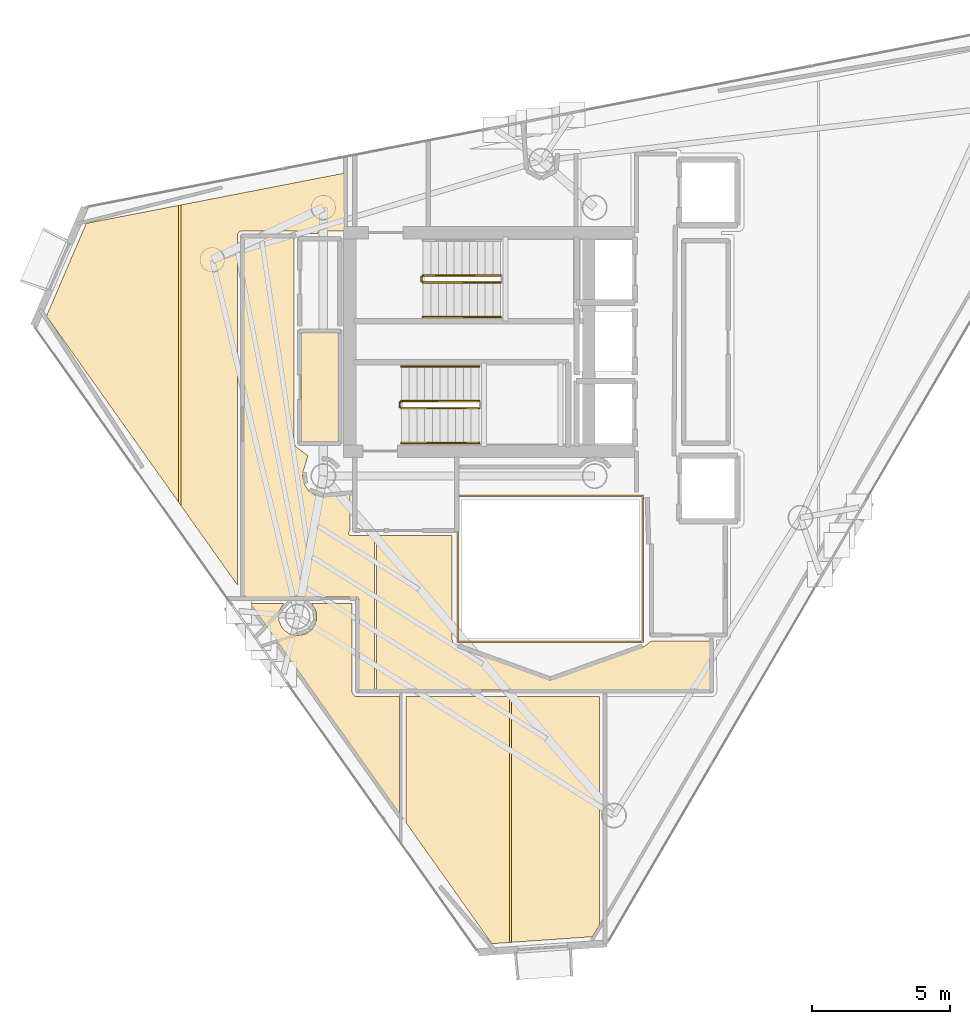
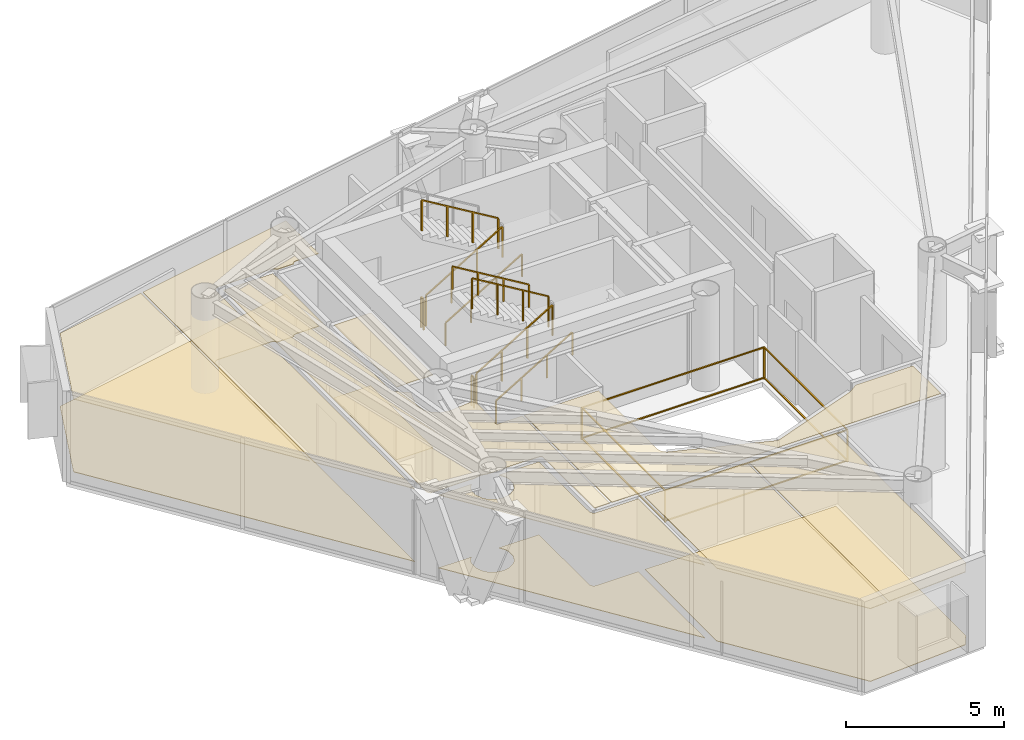
# One storey, part 20 of 22: 12 coverings, 10 railings.
"""IFC4 building model written with IfcOpenShell, lengths in metres."""

from ifc_helpers import new_model, si_unit, direction, frame, origin, origin_2d, place, context, subcontext, project, spatial, polyline, rectangle, outline, extrude, material, layer, layer_set, type_object, element, save


model = new_model("IFC4")

# Units and contexts
model_context = context("Model", 3, precision=1e-05, world=origin(), true_north=direction((0.0, 1.0)))
body_context = subcontext(model_context, "Body", "Model", "MODEL_VIEW")
ifc_project = project(units=[si_unit("LENGTHUNIT", "METRE"), si_unit("AREAUNIT", "SQUARE_METRE"), si_unit("VOLUMEUNIT", "CUBIC_METRE"), si_unit("PLANEANGLEUNIT", "RADIAN"), si_unit("MASSUNIT", "GRAM", prefix="KILO")], contexts=[model_context])

# Site, building, storey
site_placement = place(None, origin())
site = spatial("IfcSite", under=ifc_project, at=site_placement, CompositionType="ELEMENT")
building_placement = place(site_placement, origin())
building = spatial("IfcBuilding", under=site, at=building_placement, Name="Qianvela Tower", CompositionType="ELEMENT")
storey_placement = place(building_placement, frame((0.0, 0.0, 299.10009765625)))
storey = spatial("IfcBuildingStorey", under=building, at=storey_placement, Name="L77", CompositionType="ELEMENT", Elevation=299.10009765625)

# Coverings
ifc_material_1 = material(Name="Perforated Mineral Acoustic Ceiling Tile")
ifc_layer_1 = layer(ifc_material_1, 0.02490234375)
ifc_layer_set_1 = layer_set([ifc_layer_1], Name="Perforated Mineral Acoustic Ceiling Tile")
covering_type_1 = type_object("IfcCoveringType", Name="COV-CEIL-ACOUSTIC-25", PredefinedType="CEILING", material=ifc_layer_set_1)
covering_1_placement = place(storey_placement, frame((0.0, 0.0, 2.81494140625)))
element("IfcCovering", 1, at=covering_1_placement, inside=storey, type_object=covering_type_1, Name="L77 Acoustic Ceiling L77 Core Tea Pantry West", PredefinedType="CEILING", context=body_context, shape_type="SweptSolid", body=[
    extrude(outline(polyline([(27.800048828125, 25.080078125), (27.800048828125, 29.0400390625), (29.139892578125, 29.0400390625), (29.139892578125, 25.080078125), (27.800048828125, 25.080078125)])), origin(), (0.0, 0.0, 1.0), 0.02490234375),
])
covering_2_placement = place(storey_placement, frame((0.0, 0.0, 2.81494140625)))
element("IfcCovering", 2, at=covering_2_placement, inside=storey, type_object=covering_type_1, Name="L77 Acoustic Ceiling Bay 1 L77 Floor Corridor", PredefinedType="CEILING", context=body_context, shape_type="SweptSolid", body=[
    extrude(outline(polyline([(27.5400390625, 32.469970703125), (27.5400390625, 25.04638671875), (27.540283203125, 25.038818359375), (27.54150390625, 25.03125), (27.543212890625, 25.023681640625), (27.545654296875, 25.0166015625), (27.548828125, 25.009765625), (27.552734375, 25.003173828125), (27.61328125, 24.90869140625), (27.61767578125, 24.90283203125), (27.622314453125, 24.8974609375), (27.62744140625, 24.892333984375), (27.633056640625, 24.8876953125), (28.042236328125, 24.584228515625), (27.8662109375, 24.00390625), (27.864501953125, 23.996337890625), (27.86328125, 23.988525390625), (27.850341796875, 23.85791015625), (27.85009765625, 23.85009765625), (27.850341796875, 23.84228515625), (27.8515625, 23.83447265625), (27.902587890625, 23.577880859375), (27.904296875, 23.5703125), (27.906982421875, 23.56298828125), (27.910400390625, 23.555908203125), (27.91455078125, 23.54931640625), (28.059814453125, 23.331787109375), (28.064453125, 23.325439453125), (28.069580078125, 23.319580078125), (28.075439453125, 23.314453125), (28.081787109375, 23.309814453125), (28.29931640625, 23.16455078125), (28.305908203125, 23.160400390625), (28.31298828125, 23.156982421875), (28.3203125, 23.154296875), (28.327880859375, 23.152587890625), (28.58447265625, 23.1015625), (28.59228515625, 23.100341796875), (28.60009765625, 23.10009765625), (28.60791015625, 23.100341796875), (29.55810546875, 23.194091796875), (29.55810546875, 21.877685546875), (29.52001953125, 21.82958984375), (29.515380859375, 21.822998046875), (29.51171875, 21.81640625), (29.508544921875, 21.809326171875), (29.506103515625, 21.802001953125), (29.504150390625, 21.794189453125), (29.503173828125, 21.78662109375), (29.5029296875, 21.77880859375), (29.50341796875, 21.77099609375), (29.504638671875, 21.763427734375), (29.506591796875, 21.755859375), (29.50927734375, 21.74853515625), (29.5126953125, 21.74169921875), (29.516845703125, 21.735107421875), (29.521484375, 21.728759765625), (29.52685546875, 21.722900390625), (29.53271484375, 21.7177734375), (29.538818359375, 21.713134765625), (29.54541015625, 21.709228515625), (29.552490234375, 21.7060546875), (29.559814453125, 21.703369140625), (29.5673828125, 21.701416015625), (29.5751953125, 21.700439453125), (29.5830078125, 21.699951171875), (30.443359375, 21.699951171875), (30.443359375, 16.1298828125), (29.8798828125, 16.1298828125), (29.8798828125, 19.39990234375), (29.879638671875, 19.40771484375), (29.87841796875, 19.41552734375), (29.876708984375, 19.423095703125), (29.873779296875, 19.4306640625), (29.87060546875, 19.437744140625), (29.866455078125, 19.4443359375), (29.86181640625, 19.45068359375), (29.856689453125, 19.45654296875), (29.850830078125, 19.4619140625), (29.844482421875, 19.466552734375), (29.837646484375, 19.470703125), (29.83056640625, 19.473876953125), (29.8232421875, 19.4765625), (29.815673828125, 19.478515625), (29.807861328125, 19.4794921875), (29.800048828125, 19.47998046875), (27.910888671875, 19.47998046875), (27.684814453125, 19.522705078125), (27.677490234375, 19.523681640625), (27.669921875, 19.52392578125), (27.66259765625, 19.523681640625), (27.6552734375, 19.522705078125), (27.42919921875, 19.47998046875), (25.80078125, 19.47998046875), (25.72998046875, 19.579833984375), (25.72998046875, 32.469970703125), (27.5400390625, 32.469970703125)])), origin(), (0.0, 0.0, 1.0), 0.02490234375),
])
covering_3_placement = place(storey_placement, frame((0.0, 0.0, 2.81494140625)))
element("IfcCovering", 3, at=covering_3_placement, inside=storey, type_object=covering_type_1, Name="L77 Acoustic Ceiling Bay 2 L77 Floor Corridor", PredefinedType="CEILING", context=body_context, shape_type="SweptSolid", body=[
    extrude(outline(polyline([(33.239990234375, 21.699951171875), (33.239990234375, 18.0), (33.240478515625, 17.990234375), (33.242431640625, 17.980712890625), (33.275390625, 17.8486328125), (33.277587890625, 17.841796875), (33.2802734375, 17.8349609375), (33.283447265625, 17.82861328125), (33.287353515625, 17.822509765625), (33.29150390625, 17.81689453125), (33.29638671875, 17.811279296875), (33.411376953125, 17.696533203125), (33.41796875, 17.690673828125), (33.42529296875, 17.685546875), (33.432861328125, 17.68115234375), (33.44091796875, 17.677734375), (36.77294921875, 16.482666015625), (36.780517578125, 16.48046875), (36.7880859375, 16.47900390625), (36.7958984375, 16.47802734375), (36.803955078125, 16.47802734375), (36.811767578125, 16.47900390625), (36.8193359375, 16.48046875), (36.826904296875, 16.482666015625), (40.134033203125, 17.666015625), (40.140869140625, 17.668701171875), (40.1474609375, 17.672119140625), (40.153564453125, 17.676025390625), (40.458740234375, 17.89306640625), (42.570068359375, 17.899658203125), (42.570068359375, 16.1298828125), (30.5234375, 16.1298828125), (30.5234375, 21.699951171875), (33.239990234375, 21.699951171875)])), origin(), (0.0, 0.0, 1.0), 0.02490234375),
])
covering_4_placement = place(storey_placement, frame((0.0, 0.0, 2.81494140625)))
element("IfcCovering", 4, at=covering_4_placement, inside=storey, type_object=covering_type_1, Name="L77 Acoustic Ceiling Tutorial Breakout Seminar L77-01", PredefinedType="CEILING", context=body_context, shape_type="SweptSolid", body=[
    extrude(outline(polyline([(27.16552734375, 19.239990234375), (27.039794921875, 19.052001953125), (27.035888671875, 19.045166015625), (27.032470703125, 19.0380859375), (27.02978515625, 19.03076171875), (26.9951171875, 18.916259765625), (26.993408203125, 18.90869140625), (26.9921875, 18.90087890625), (26.99169921875, 18.89306640625), (26.99169921875, 18.655029296875), (26.9921875, 18.647216796875), (26.993408203125, 18.639404296875), (26.9951171875, 18.6318359375), (26.997802734375, 18.62451171875), (27.0888671875, 18.404541015625), (27.09228515625, 18.3974609375), (27.09619140625, 18.390625), (27.10107421875, 18.384521484375), (27.1767578125, 18.2919921875), (27.18212890625, 18.2861328125), (27.18798828125, 18.28076171875), (27.194091796875, 18.276123046875), (27.39208984375, 18.143798828125), (27.39892578125, 18.139892578125), (27.406005859375, 18.136474609375), (27.413330078125, 18.1337890625), (27.4208984375, 18.132080078125), (27.654296875, 18.08544921875), (27.662109375, 18.08447265625), (27.669921875, 18.083984375), (27.677734375, 18.08447265625), (27.685546875, 18.08544921875), (27.9189453125, 18.132080078125), (27.9267578125, 18.1337890625), (27.93408203125, 18.136474609375), (27.941162109375, 18.139892578125), (27.947998046875, 18.143798828125), (28.145751953125, 18.276123046875), (28.152099609375, 18.28076171875), (28.157958984375, 18.2861328125), (28.1630859375, 18.2919921875), (28.239013671875, 18.384521484375), (28.24365234375, 18.390625), (28.247802734375, 18.3974609375), (28.251220703125, 18.404541015625), (28.34228515625, 18.62451171875), (28.3447265625, 18.6318359375), (28.3466796875, 18.639404296875), (28.347900390625, 18.647216796875), (28.348388671875, 18.655029296875), (28.348388671875, 18.89306640625), (28.347900390625, 18.90087890625), (28.3466796875, 18.90869140625), (28.3447265625, 18.916259765625), (28.31005859375, 19.03076171875), (28.3076171875, 19.0380859375), (28.30419921875, 19.045166015625), (28.300048828125, 19.052001953125), (28.17431640625, 19.239990234375), (29.639892578125, 19.239990234375), (29.639892578125, 16.050048828125), (29.640380859375, 16.042236328125), (29.6416015625, 16.034423828125), (29.643310546875, 16.02685546875), (29.64599609375, 16.019287109375), (29.6494140625, 16.01220703125), (29.653564453125, 16.005615234375), (29.702880859375, 15.931640625), (29.70751953125, 15.92529296875), (29.712890625, 15.91943359375), (29.718505859375, 15.914306640625), (29.724853515625, 15.90966796875), (29.731689453125, 15.905517578125), (29.73876953125, 15.902099609375), (29.74609375, 15.8994140625), (29.753662109375, 15.897705078125), (29.761474609375, 15.896484375), (29.769287109375, 15.89599609375), (31.3447265625, 15.89501953125), (31.3447265625, 11.66748046875), (25.97119140625, 19.239990234375), (27.16552734375, 19.239990234375)])), origin(), (0.0, 0.0, 1.0), 0.02490234375),
])
covering_5_placement = place(storey_placement, frame((0.0, 0.0, 2.81494140625)))
element("IfcCovering", 5, at=covering_5_placement, inside=storey, type_object=covering_type_1, Name="L77 Acoustic Ceiling Bay 1 Debate Lecture Classroom L77-03", PredefinedType="CEILING", context=body_context, shape_type="SweptSolid", body=[
    extrude(outline(polyline([(23.373046875, 33.62841796875), (23.373046875, 22.9013671875), (18.59765625, 29.630859375), (20.036865234375, 32.9794921875), (23.373046875, 33.62841796875)])), origin(), (0.0, 0.0, 1.0), 0.02490234375),
])
covering_6_placement = place(storey_placement, frame((0.0, 0.0, 2.81494140625)))
element("IfcCovering", 6, at=covering_6_placement, inside=storey, type_object=covering_type_1, Name="L77 Acoustic Ceiling Bay 2 Debate Lecture Classroom L77-03", PredefinedType="CEILING", context=body_context, shape_type="SweptSolid", body=[
    extrude(outline(polyline([(29.354736328125, 34.7919921875), (29.35791015625, 32.7099609375), (28.542236328125, 32.709716796875), (28.5361328125, 32.70947265625), (28.530029296875, 32.708740234375), (28.4677734375, 32.69921875), (28.460205078125, 32.697509765625), (28.452880859375, 32.6953125), (28.446044921875, 32.6923828125), (28.439208984375, 32.688720703125), (28.432861328125, 32.6845703125), (28.427001953125, 32.6796875), (28.42138671875, 32.674560546875), (28.41650390625, 32.668701171875), (28.412109375, 32.662353515625), (28.408447265625, 32.65576171875), (28.405517578125, 32.648681640625), (28.403076171875, 32.6416015625), (28.4013671875, 32.634033203125), (28.400390625, 32.62646484375), (28.39892578125, 32.609619140625), (27.7626953125, 32.607666015625), (27.759521484375, 32.6201171875), (27.757080078125, 32.62744140625), (27.754150390625, 32.634765625), (27.75048828125, 32.6416015625), (27.74609375, 32.648193359375), (27.7412109375, 32.654296875), (27.735595703125, 32.659912109375), (27.7294921875, 32.6650390625), (27.722900390625, 32.66943359375), (27.716064453125, 32.673095703125), (27.654296875, 32.702392578125), (27.647705078125, 32.705078125), (27.64111328125, 32.707275390625), (27.634033203125, 32.708740234375), (27.627197265625, 32.709716796875), (27.6201171875, 32.7099609375), (25.64990234375, 32.7099609375), (25.642578125, 32.709716796875), (25.635498046875, 32.708740234375), (25.62841796875, 32.70703125), (25.62158203125, 32.70458984375), (25.61474609375, 32.701904296875), (25.6083984375, 32.6982421875), (25.602294921875, 32.6943359375), (25.52587890625, 32.637451171875), (25.519287109375, 32.632080078125), (25.513671875, 32.626220703125), (25.50830078125, 32.619873046875), (25.50390625, 32.61279296875), (25.500244140625, 32.60546875), (25.497314453125, 32.59765625), (25.4951171875, 32.589599609375), (25.493896484375, 32.58154296875), (25.493408203125, 32.5732421875), (25.489990234375, 19.91796875), (23.453125, 22.78857421875), (23.453125, 33.64404296875), (29.354736328125, 34.7919921875)])), origin(), (0.0, 0.0, 1.0), 0.02490234375),
])
covering_7_placement = place(storey_placement, frame((0.0, 0.0, 2.81494140625)))
element("IfcCovering", 7, at=covering_7_placement, inside=storey, type_object=covering_type_1, Name="L77 Acoustic Ceiling Bay 1 Campus Wellness Pharmacy L77-04", PredefinedType="CEILING", context=body_context, shape_type="SweptSolid", body=[
    extrude(outline(polyline([(34.685791015625, 6.958984375), (31.588623046875, 11.32373046875), (31.588623046875, 15.894775390625), (35.32080078125, 15.892333984375), (35.32080078125, 7.003173828125), (34.685791015625, 6.958984375)])), origin(), (0.0, 0.0, 1.0), 0.02490234375),
])
covering_8_placement = place(storey_placement, frame((0.0, 0.0, 2.81494140625)))
element("IfcCovering", 8, at=covering_8_placement, inside=storey, type_object=covering_type_1, Name="L77 Acoustic Ceiling Bay 2 Campus Wellness Pharmacy L77-04", PredefinedType="CEILING", context=body_context, shape_type="SweptSolid", body=[
    extrude(outline(polyline([(38.322021484375, 7.211669921875), (35.400634765625, 7.0087890625), (35.400634765625, 15.89208984375), (38.577880859375, 15.89013671875), (38.577880859375, 7.64990234375), (38.322021484375, 7.211669921875)])), origin(), (0.0, 0.0, 1.0), 0.02490234375),
])
ifc_material_2 = material(Name="Engineered Acoustic Oak Timber Flooring", Category="wood")
ifc_layer_2 = layer(ifc_material_2, 0.02001953125)
ifc_layer_set_2 = layer_set([ifc_layer_2], Name="Engineered Acoustic Oak Timber Flooring")
covering_type_2 = type_object("IfcCoveringType", Name="COV-FLOOR-OAK-20", PredefinedType="FLOORING", material=ifc_layer_set_2)
covering_9_placement = place(storey_placement, origin())
element("IfcCovering", 9, at=covering_9_placement, inside=storey, type_object=covering_type_2, Name="L77 Finish Flooring L77 Core Tea Pantry West", PredefinedType="FLOORING", context=body_context, shape_type="SweptSolid", body=[
    extrude(outline(polyline([(27.800048828125, 25.080078125), (27.800048828125, 29.0400390625), (29.139892578125, 29.0400390625), (29.139892578125, 25.080078125), (27.800048828125, 25.080078125)])), origin(), (0.0, 0.0, 1.0), 0.02001953125),
])
covering_10_placement = place(storey_placement, origin())
element("IfcCovering", 10, at=covering_10_placement, inside=storey, type_object=covering_type_2, Name="L77 Finish Flooring Tutorial Breakout Seminar L77-01", PredefinedType="FLOORING", context=body_context, shape_type="SweptSolid", body=[
    extrude(outline(polyline([(27.16552734375, 19.239990234375), (27.039794921875, 19.052001953125), (27.035888671875, 19.045166015625), (27.032470703125, 19.0380859375), (27.02978515625, 19.03076171875), (26.9951171875, 18.916259765625), (26.993408203125, 18.90869140625), (26.9921875, 18.90087890625), (26.99169921875, 18.89306640625), (26.99169921875, 18.655029296875), (26.9921875, 18.647216796875), (26.993408203125, 18.639404296875), (26.9951171875, 18.6318359375), (26.997802734375, 18.62451171875), (27.0888671875, 18.404541015625), (27.09228515625, 18.3974609375), (27.09619140625, 18.390625), (27.10107421875, 18.384521484375), (27.1767578125, 18.2919921875), (27.18212890625, 18.2861328125), (27.18798828125, 18.28076171875), (27.194091796875, 18.276123046875), (27.39208984375, 18.143798828125), (27.39892578125, 18.139892578125), (27.406005859375, 18.136474609375), (27.413330078125, 18.1337890625), (27.4208984375, 18.132080078125), (27.654296875, 18.08544921875), (27.662109375, 18.08447265625), (27.669921875, 18.083984375), (27.677734375, 18.08447265625), (27.685546875, 18.08544921875), (27.9189453125, 18.132080078125), (27.9267578125, 18.1337890625), (27.93408203125, 18.136474609375), (27.941162109375, 18.139892578125), (27.947998046875, 18.143798828125), (28.145751953125, 18.276123046875), (28.152099609375, 18.28076171875), (28.157958984375, 18.2861328125), (28.1630859375, 18.2919921875), (28.239013671875, 18.384521484375), (28.24365234375, 18.390625), (28.247802734375, 18.3974609375), (28.251220703125, 18.404541015625), (28.34228515625, 18.62451171875), (28.3447265625, 18.6318359375), (28.3466796875, 18.639404296875), (28.347900390625, 18.647216796875), (28.348388671875, 18.655029296875), (28.348388671875, 18.89306640625), (28.347900390625, 18.90087890625), (28.3466796875, 18.90869140625), (28.3447265625, 18.916259765625), (28.31005859375, 19.03076171875), (28.3076171875, 19.0380859375), (28.30419921875, 19.045166015625), (28.300048828125, 19.052001953125), (28.17431640625, 19.239990234375), (29.639892578125, 19.239990234375), (29.639892578125, 16.050048828125), (29.640380859375, 16.042236328125), (29.6416015625, 16.034423828125), (29.643310546875, 16.02685546875), (29.64599609375, 16.019287109375), (29.6494140625, 16.01220703125), (29.653564453125, 16.005615234375), (29.702880859375, 15.931640625), (29.70751953125, 15.92529296875), (29.712890625, 15.91943359375), (29.718505859375, 15.914306640625), (29.724853515625, 15.90966796875), (29.731689453125, 15.905517578125), (29.73876953125, 15.902099609375), (29.74609375, 15.8994140625), (29.753662109375, 15.897705078125), (29.761474609375, 15.896484375), (29.769287109375, 15.89599609375), (31.3447265625, 15.89501953125), (31.3447265625, 11.66748046875), (25.97119140625, 19.239990234375), (27.16552734375, 19.239990234375)])), origin(), (0.0, 0.0, 1.0), 0.02001953125),
])
covering_11_placement = place(storey_placement, origin())
element("IfcCovering", 11, at=covering_11_placement, inside=storey, type_object=covering_type_2, Name="L77 Finish Flooring Debate Lecture Classroom L77-03", PredefinedType="FLOORING", context=body_context, shape_type="SweptSolid", body=[
    extrude(outline(polyline([(20.036865234375, 32.9794921875), (29.354736328125, 34.7919921875), (29.35791015625, 32.7099609375), (28.542236328125, 32.709716796875), (28.5361328125, 32.70947265625), (28.530029296875, 32.708740234375), (28.4677734375, 32.69921875), (28.460205078125, 32.697509765625), (28.452880859375, 32.6953125), (28.446044921875, 32.6923828125), (28.439208984375, 32.688720703125), (28.432861328125, 32.6845703125), (28.427001953125, 32.6796875), (28.42138671875, 32.674560546875), (28.41650390625, 32.668701171875), (28.412109375, 32.662353515625), (28.408447265625, 32.65576171875), (28.405517578125, 32.648681640625), (28.403076171875, 32.6416015625), (28.4013671875, 32.634033203125), (28.400390625, 32.62646484375), (28.39892578125, 32.609619140625), (27.7626953125, 32.607666015625), (27.759521484375, 32.6201171875), (27.757080078125, 32.62744140625), (27.754150390625, 32.634765625), (27.75048828125, 32.6416015625), (27.74609375, 32.648193359375), (27.7412109375, 32.654296875), (27.735595703125, 32.659912109375), (27.7294921875, 32.6650390625), (27.722900390625, 32.66943359375), (27.716064453125, 32.673095703125), (27.654296875, 32.702392578125), (27.647705078125, 32.705078125), (27.64111328125, 32.707275390625), (27.634033203125, 32.708740234375), (27.627197265625, 32.709716796875), (27.6201171875, 32.7099609375), (25.64990234375, 32.7099609375), (25.642578125, 32.709716796875), (25.635498046875, 32.708740234375), (25.62841796875, 32.70703125), (25.62158203125, 32.70458984375), (25.61474609375, 32.701904296875), (25.6083984375, 32.6982421875), (25.602294921875, 32.6943359375), (25.52587890625, 32.637451171875), (25.519287109375, 32.632080078125), (25.513671875, 32.626220703125), (25.50830078125, 32.619873046875), (25.50390625, 32.61279296875), (25.500244140625, 32.60546875), (25.497314453125, 32.59765625), (25.4951171875, 32.589599609375), (25.493896484375, 32.58154296875), (25.493408203125, 32.5732421875), (25.489990234375, 19.91796875), (18.59765625, 29.630859375), (20.036865234375, 32.9794921875)])), origin(), (0.0, 0.0, 1.0), 0.02001953125),
])
covering_12_placement = place(storey_placement, origin())
element("IfcCovering", 12, at=covering_12_placement, inside=storey, type_object=covering_type_2, Name="L77 Finish Flooring Campus Wellness Pharmacy L77-04", PredefinedType="FLOORING", context=body_context, shape_type="SweptSolid", body=[
    extrude(outline(polyline([(38.577880859375, 7.64990234375), (38.322021484375, 7.211669921875), (34.685791015625, 6.958984375), (31.588623046875, 11.32373046875), (31.588623046875, 15.894775390625), (38.577880859375, 15.89013671875), (38.577880859375, 7.64990234375)])), origin(), (0.0, 0.0, 1.0), 0.02001953125),
])

# Railings
ifc_material_3 = material(Name="Laminated Safety Glass and Stainless Steel 316", Category="steel")
railing_type_1 = type_object("IfcRailingType", Name="RL-ATRIUM-GUARD-1250", PredefinedType="GUARDRAIL", material=ifc_material_3)
railing_1_placement = place(storey_placement, frame((33.4599609375, 17.860107421875, 0.0)))
element("IfcRailing", 13, at=railing_1_placement, inside=storey, type_object=railing_type_1, Name="L77 Atrium Edge Guardrail 1", PredefinedType="GUARDRAIL", context=body_context, shape_type="SweptSolid", body=[
    extrude(rectangle(XDim=0.050048828125, YDim=0.0400390625, at=origin_2d()), frame((0.0, 0.0, 1.22998046875), z_axis=(0.0, 1.0, 0.0), x_axis=(-1.0, 0.0, 0.0)), (0.0, 0.0, 1.0), 5.27978515625),
    extrude(rectangle(XDim=0.050048828125, YDim=0.0400390625, at=origin_2d()), frame((0.0, 0.0, 0.050048828125), z_axis=(0.0, 1.0, 0.0), x_axis=(-1.0, 0.0, 0.0)), (0.0, 0.0, 1.0), 5.27978515625),
    extrude(rectangle(XDim=0.050048828125, YDim=0.0400390625, at=origin_2d()), frame((0.0, 5.27978515625, 1.22998046875), z_axis=(1.0, 0.0, 0.0), x_axis=(0.0, 1.0, 0.0)), (0.0, 0.0, 1.0), 6.679931640625),
    extrude(rectangle(XDim=0.050048828125, YDim=0.0400390625, at=origin_2d()), frame((0.0, 5.27978515625, 0.050048828125), z_axis=(1.0, 0.0, 0.0), x_axis=(0.0, 1.0, 0.0)), (0.0, 0.0, 1.0), 6.679931640625),
    extrude(rectangle(XDim=0.050048828125, YDim=0.0400390625, at=origin_2d()), frame((6.679931640625, 5.27978515625, 1.22998046875), z_axis=(0.0, -1.0, 0.0), x_axis=(1.0, 0.0, 0.0)), (0.0, 0.0, 1.0), 5.27978515625),
    extrude(rectangle(XDim=0.050048828125, YDim=0.0400390625, at=origin_2d()), frame((6.679931640625, 5.27978515625, 0.050048828125), z_axis=(0.0, -1.0, 0.0), x_axis=(1.0, 0.0, 0.0)), (0.0, 0.0, 1.0), 5.27978515625),
    extrude(rectangle(XDim=0.050048828125, YDim=0.0400390625, at=origin_2d()), frame((6.679931640625, 0.0, 1.22998046875), z_axis=(-1.0, 0.0, 0.0), x_axis=(0.0, -1.0, 0.0)), (0.0, 0.0, 1.0), 6.679931640625),
    extrude(rectangle(XDim=0.050048828125, YDim=0.0400390625, at=origin_2d()), frame((6.679931640625, 0.0, 0.050048828125), z_axis=(-1.0, 0.0, 0.0), x_axis=(0.0, -1.0, 0.0)), (0.0, 0.0, 1.0), 6.679931640625),
    extrude(rectangle(XDim=0.050048828125, YDim=0.050048828125, at=origin_2d()), origin(), (0.0, 0.0, 1.0), 1.2099609375),
    extrude(rectangle(XDim=0.050048828125, YDim=0.050048828125, at=origin_2d()), frame((0.0, 5.27978515625, 0.0)), (0.0, 0.0, 1.0), 1.2099609375),
    extrude(rectangle(XDim=0.050048828125, YDim=0.050048828125, at=origin_2d()), frame((6.679931640625, 5.27978515625, 0.0)), (0.0, 0.0, 1.0), 1.2099609375),
    extrude(rectangle(XDim=0.050048828125, YDim=0.050048828125, at=origin_2d()), frame((6.679931640625, 0.0, 0.0)), (0.0, 0.0, 1.0), 1.2099609375),
])
ifc_material_4 = material(Name="Painted Tubular Steel Q355B", Category="steel")
railing_type_2 = type_object("IfcRailingType", Name="RL-STAIR-GUARD-1200", PredefinedType="GUARDRAIL", material=ifc_material_4)
railing_2_placement = place(storey_placement, frame((32.199951171875, 30.840087890625, 0.16796875)))
element("IfcRailing", 14, at=railing_2_placement, inside=storey, type_object=railing_type_2, Name="L77 ST-1 stair guard 1", PredefinedType="GUARDRAIL", context=body_context, shape_type="SweptSolid", body=[
    extrude(rectangle(XDim=0.050048828125, YDim=0.0400390625, at=origin_2d()), frame((0.0, 0.0, 1.179931640625), z_axis=(0.857242210791, 0.0, 0.514913383045), x_axis=(0.0, 1.0, 0.0)), (0.0, 0.0, 1.0), 3.266357421875),
    extrude(rectangle(XDim=0.050048828125, YDim=0.050048828125, at=origin_2d()), origin(), (0.0, 0.0, 1.0), 1.159912109375),
    extrude(rectangle(XDim=0.050048828125, YDim=0.050048828125, at=origin_2d()), frame((0.933349609375, 0.0, 0.560546875)), (0.0, 0.0, 1.0), 1.159912109375),
    extrude(rectangle(XDim=0.050048828125, YDim=0.050048828125, at=origin_2d()), frame((1.86669921875, 0.0, 1.121337890625)), (0.0, 0.0, 1.0), 1.159912109375),
    extrude(rectangle(XDim=0.050048828125, YDim=0.050048828125, at=origin_2d()), frame((2.800048828125, 0.0, 1.681884765625)), (0.0, 0.0, 1.0), 1.159912109375),
])
railing_3_placement = place(storey_placement, frame((35.0, 31.10009765625, 2.01806640625)))
element("IfcRailing", 15, at=railing_3_placement, inside=storey, type_object=railing_type_2, Name="L77 ST-1 stair guard 3", PredefinedType="GUARDRAIL", context=body_context, shape_type="SweptSolid", body=[
    extrude(rectangle(XDim=0.050048828125, YDim=0.0400390625, at=origin_2d()), frame((0.0, 0.0, 1.179931640625), z_axis=(-0.857242210791, 0.0, 0.514913383045), x_axis=(0.0, -1.0, 0.0)), (0.0, 0.0, 1.0), 3.266357421875),
    extrude(rectangle(XDim=0.050048828125, YDim=0.050048828125, at=origin_2d()), origin(), (0.0, 0.0, 1.0), 1.159912109375),
    extrude(rectangle(XDim=0.050048828125, YDim=0.050048828125, at=origin_2d()), frame((-0.933349609375, 0.0, 0.560546875)), (0.0, 0.0, 1.0), 1.159912109375),
    extrude(rectangle(XDim=0.050048828125, YDim=0.050048828125, at=origin_2d()), frame((-1.86669921875, 0.0, 1.121337890625)), (0.0, 0.0, 1.0), 1.159912109375),
    extrude(rectangle(XDim=0.050048828125, YDim=0.050048828125, at=origin_2d()), frame((-2.800048828125, 0.0, 1.681884765625)), (0.0, 0.0, 1.0), 1.159912109375),
])
railing_4_placement = place(storey_placement, frame((32.14990234375, 30.889892578125, 0.0)))
element("IfcRailing", 16, at=railing_4_placement, inside=storey, type_object=railing_type_2, Name="L77 ST-1 stair guard 4", PredefinedType="GUARDRAIL", context=body_context, shape_type="SweptSolid", body=[
    extrude(rectangle(XDim=0.050048828125, YDim=0.0400390625, at=origin_2d()), frame((0.0, 0.0, 1.179931640625), z_axis=(0.0, 1.0, 0.0), x_axis=(-1.0, 0.0, 0.0)), (0.0, 0.0, 1.0), 0.16015625),
    extrude(rectangle(XDim=0.050048828125, YDim=0.050048828125, at=origin_2d()), origin(), (0.0, 0.0, 1.0), 1.159912109375),
    extrude(rectangle(XDim=0.050048828125, YDim=0.050048828125, at=origin_2d()), frame((0.0, 0.16015625, 0.0)), (0.0, 0.0, 1.0), 1.159912109375),
])
railing_5_placement = place(storey_placement, frame((31.419921875, 26.300048828125, 0.16796875)))
element("IfcRailing", 17, at=railing_5_placement, inside=storey, type_object=railing_type_2, Name="L77 ST-2 stair guard 1", PredefinedType="GUARDRAIL", context=body_context, shape_type="SweptSolid", body=[
    extrude(rectangle(XDim=0.050048828125, YDim=0.0400390625, at=origin_2d()), frame((0.0, 0.0, 1.179931640625), z_axis=(0.857242210791, 0.0, 0.514913383045), x_axis=(0.0, 1.0, 0.0)), (0.0, 0.0, 1.0), 3.266357421875),
    extrude(rectangle(XDim=0.050048828125, YDim=0.050048828125, at=origin_2d()), origin(), (0.0, 0.0, 1.0), 1.159912109375),
    extrude(rectangle(XDim=0.050048828125, YDim=0.050048828125, at=origin_2d()), frame((0.933349609375, 0.0, 0.560546875)), (0.0, 0.0, 1.0), 1.159912109375),
    extrude(rectangle(XDim=0.050048828125, YDim=0.050048828125, at=origin_2d()), frame((1.86669921875, 0.0, 1.121337890625)), (0.0, 0.0, 1.0), 1.159912109375),
    extrude(rectangle(XDim=0.050048828125, YDim=0.050048828125, at=origin_2d()), frame((2.800048828125, 0.0, 1.681884765625)), (0.0, 0.0, 1.0), 1.159912109375),
])
railing_6_placement = place(storey_placement, frame((34.219970703125, 26.56005859375, 2.01806640625)))
element("IfcRailing", 18, at=railing_6_placement, inside=storey, type_object=railing_type_2, Name="L77 ST-2 stair guard 3", PredefinedType="GUARDRAIL", context=body_context, shape_type="SweptSolid", body=[
    extrude(rectangle(XDim=0.050048828125, YDim=0.0400390625, at=origin_2d()), frame((0.0, 0.0, 1.179931640625), z_axis=(-0.857242210791, 0.0, 0.514913383045), x_axis=(0.0, -1.0, 0.0)), (0.0, 0.0, 1.0), 3.266357421875),
    extrude(rectangle(XDim=0.050048828125, YDim=0.050048828125, at=origin_2d()), origin(), (0.0, 0.0, 1.0), 1.159912109375),
    extrude(rectangle(XDim=0.050048828125, YDim=0.050048828125, at=origin_2d()), frame((-0.933349609375, 0.0, 0.560546875)), (0.0, 0.0, 1.0), 1.159912109375),
    extrude(rectangle(XDim=0.050048828125, YDim=0.050048828125, at=origin_2d()), frame((-1.86669921875, 0.0, 1.121337890625)), (0.0, 0.0, 1.0), 1.159912109375),
    extrude(rectangle(XDim=0.050048828125, YDim=0.050048828125, at=origin_2d()), frame((-2.800048828125, 0.0, 1.681884765625)), (0.0, 0.0, 1.0), 1.159912109375),
])
railing_7_placement = place(storey_placement, frame((31.3701171875, 26.35009765625, 0.0)))
element("IfcRailing", 19, at=railing_7_placement, inside=storey, type_object=railing_type_2, Name="L77 ST-2 stair guard 4", PredefinedType="GUARDRAIL", context=body_context, shape_type="SweptSolid", body=[
    extrude(rectangle(XDim=0.050048828125, YDim=0.0400390625, at=origin_2d()), frame((0.0, 0.0, 1.179931640625), z_axis=(0.0, 1.0, 0.0), x_axis=(-1.0, 0.0, 0.0)), (0.0, 0.0, 1.0), 0.159912109375),
    extrude(rectangle(XDim=0.050048828125, YDim=0.050048828125, at=origin_2d()), origin(), (0.0, 0.0, 1.0), 1.159912109375),
    extrude(rectangle(XDim=0.050048828125, YDim=0.050048828125, at=origin_2d()), frame((0.0, 0.159912109375, 0.0)), (0.0, 0.0, 1.0), 1.159912109375),
])
ifc_material_5 = material(Name="Brushed Stainless Steel 304", Category="steel")
railing_type_3 = type_object("IfcRailingType", Name="RL-STAIR-HANDRAIL-900", PredefinedType="HANDRAIL", material=ifc_material_5)
for number, where, name in (
    (20, (32.199951171875, 29.590087890625, 0.16796875), "L77 ST-1 stair handrail 1"),
    (21, (31.419921875, 25.050048828125, 0.16796875), "L77 ST-2 stair handrail 1"),
):
    element("IfcRailing", number, at=place(storey_placement, frame(where)), inside=storey, type_object=railing_type_3, Name=name, PredefinedType="HANDRAIL", context=body_context, shape_type="SweptSolid", body=[
        extrude(rectangle(XDim=0.050048828125, YDim=0.0400390625, at=origin_2d()), frame((0.0, 0.0, 0.8798828125), z_axis=(0.857242210791, 0.0, 0.514913383045), x_axis=(0.0, 1.0, 0.0)), (0.0, 0.0, 1.0), 3.266357421875),
        extrude(rectangle(XDim=0.050048828125, YDim=0.050048828125, at=origin_2d()), origin(), (0.0, 0.0, 1.0), 0.85986328125),
        extrude(rectangle(XDim=0.050048828125, YDim=0.050048828125, at=origin_2d()), frame((0.933349609375, 0.0, 0.560546875)), (0.0, 0.0, 1.0), 0.85986328125),
        extrude(rectangle(XDim=0.050048828125, YDim=0.050048828125, at=origin_2d()), frame((1.86669921875, 0.0, 1.121337890625)), (0.0, 0.0, 1.0), 0.85986328125),
        extrude(rectangle(XDim=0.050048828125, YDim=0.050048828125, at=origin_2d()), frame((2.800048828125, 0.0, 1.681884765625)), (0.0, 0.0, 1.0), 0.85986328125),
    ])
railing_8_placement = place(storey_placement, frame((34.219970703125, 27.81005859375, 2.01806640625)))
element("IfcRailing", 22, at=railing_8_placement, inside=storey, type_object=railing_type_3, Name="L77 ST-2 stair handrail 2", PredefinedType="HANDRAIL", context=body_context, shape_type="SweptSolid", body=[
    extrude(rectangle(XDim=0.050048828125, YDim=0.0400390625, at=origin_2d()), frame((0.0, 0.0, 0.8798828125), z_axis=(-0.857242210791, 0.0, 0.514913383045), x_axis=(0.0, -1.0, 0.0)), (0.0, 0.0, 1.0), 3.266357421875),
    extrude(rectangle(XDim=0.050048828125, YDim=0.050048828125, at=origin_2d()), origin(), (0.0, 0.0, 1.0), 0.85986328125),
    extrude(rectangle(XDim=0.050048828125, YDim=0.050048828125, at=origin_2d()), frame((-0.933349609375, 0.0, 0.560546875)), (0.0, 0.0, 1.0), 0.85986328125),
    extrude(rectangle(XDim=0.050048828125, YDim=0.050048828125, at=origin_2d()), frame((-1.86669921875, 0.0, 1.121337890625)), (0.0, 0.0, 1.0), 0.85986328125),
    extrude(rectangle(XDim=0.050048828125, YDim=0.050048828125, at=origin_2d()), frame((-2.800048828125, 0.0, 1.681884765625)), (0.0, 0.0, 1.0), 0.85986328125),
])

save(model, "model.ifc")
